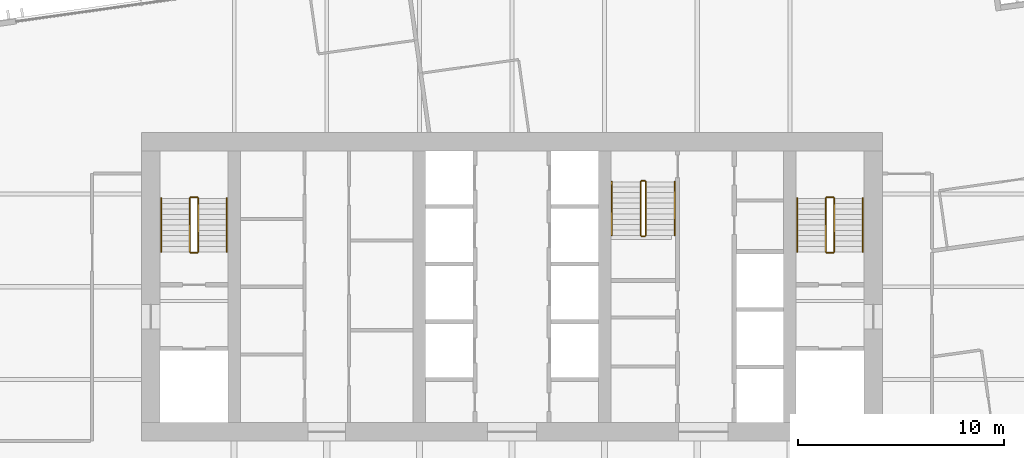
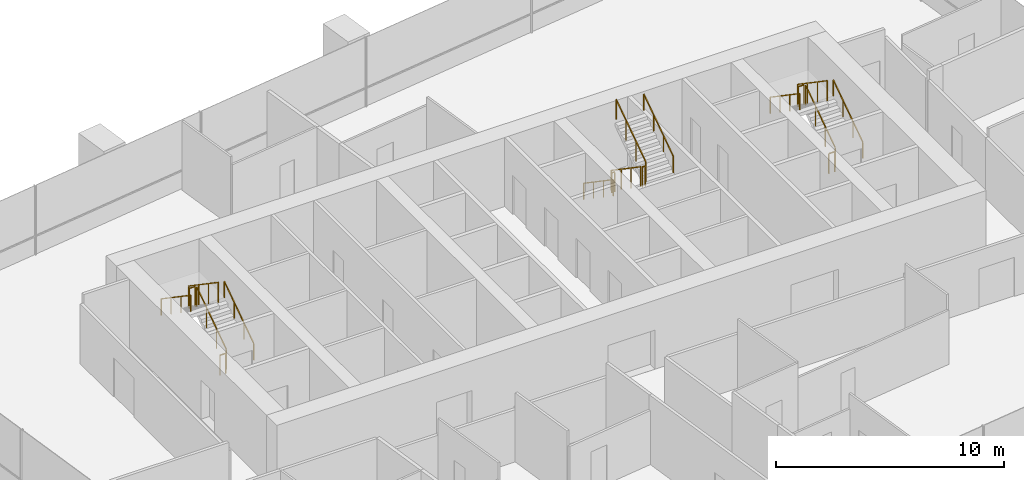
# One storey, part 14 of 14: 18 railings.
"""IFC4 building model written with IfcOpenShell, lengths in metres."""

from ifc_helpers import new_model, si_unit, direction, frame, origin, origin_2d, place, context, subcontext, project, spatial, rectangle, extrude, material, type_object, element, save


model = new_model("IFC4")

# Units and contexts
model_context = context("Model", 3, precision=1e-05, world=origin(), true_north=direction((0.0, 1.0)))
body_context = subcontext(model_context, "Body", "Model", "MODEL_VIEW")
ifc_project = project(units=[si_unit("LENGTHUNIT", "METRE"), si_unit("AREAUNIT", "SQUARE_METRE"), si_unit("VOLUMEUNIT", "CUBIC_METRE"), si_unit("PLANEANGLEUNIT", "RADIAN"), si_unit("MASSUNIT", "GRAM", prefix="KILO")], contexts=[model_context])

# Site, building, storey
site_placement = place(None, origin())
site = spatial("IfcSite", under=ifc_project, at=site_placement, CompositionType="ELEMENT")
building_placement = place(site_placement, origin())
building = spatial("IfcBuilding", under=site, at=building_placement, Name="Rattan Terrace Tower", CompositionType="ELEMENT")
storey_placement = place(building_placement, frame((0.0, 0.0, 172.39990234375)))
storey = spatial("IfcBuildingStorey", under=building, at=storey_placement, Name="L39", CompositionType="ELEMENT", Elevation=172.39990234375)

# Railings
ifc_material_1 = material(Name="Powder-coated steel guard", Category="steel")
railing_type_1 = type_object("IfcRailingType", Name="Core stair guard", PredefinedType="GUARDRAIL", material=ifc_material_1)
railing_1_placement = place(storey_placement, frame((-15.25, 1.699951171875, 0.177490234375)))
element("IfcRailing", 1, at=railing_1_placement, inside=storey, type_object=railing_type_1, Name="L39 S1 stair guard 1", PredefinedType="GUARDRAIL", context=body_context, shape_type="SweptSolid", body=[
    extrude(rectangle(XDim=0.048095703125, YDim=0.048095703125, at=origin_2d()), frame((0.0, 0.0, 1.076171875), z_axis=(0.0, 0.826240473404, 0.563317565952), x_axis=(-1.0, 0.0, 0.0)), (0.0, 0.0, 1.0), 3.14697265625),
    extrude(rectangle(XDim=0.0419921875, YDim=0.0419921875, at=origin_2d()), origin(), (0.0, 0.0, 1.0), 1.052001953125),
    extrude(rectangle(XDim=0.0419921875, YDim=0.0419921875, at=origin_2d()), frame((0.0, 0.86669921875, 0.5908203125)), (0.0, 0.0, 1.0), 1.052001953125),
    extrude(rectangle(XDim=0.0419921875, YDim=0.0419921875, at=origin_2d()), frame((0.0, 1.7333984375, 1.181884765625)), (0.0, 0.0, 1.0), 1.052001953125),
    extrude(rectangle(XDim=0.0419921875, YDim=0.0419921875, at=origin_2d()), frame((0.0, 2.60009765625, 1.772705078125)), (0.0, 0.0, 1.0), 1.052001953125),
])
railing_2_placement = place(storey_placement, frame((-15.300048828125, 4.35009765625, 1.9501953125)))
element("IfcRailing", 2, at=railing_2_placement, inside=storey, type_object=railing_type_1, Name="L39 S1 stair guard 2", PredefinedType="GUARDRAIL", context=body_context, shape_type="SweptSolid", body=[
    extrude(rectangle(XDim=0.048095703125, YDim=0.048095703125, at=origin_2d()), frame((0.0, 0.0, 1.076171875), z_axis=(-1.0, 0.0, 0.0), x_axis=(0.0, -1.0, 0.0)), (0.0, 0.0, 1.0), 0.300048828125),
    extrude(rectangle(XDim=0.0419921875, YDim=0.0419921875, at=origin_2d()), origin(), (0.0, 0.0, 1.0), 1.052001953125),
    extrude(rectangle(XDim=0.0419921875, YDim=0.0419921875, at=origin_2d()), frame((-0.300048828125, 0.0, 0.0)), (0.0, 0.0, 1.0), 1.052001953125),
])
railing_3_placement = place(storey_placement, frame((-15.64990234375, 4.300048828125, 2.12744140625)))
element("IfcRailing", 3, at=railing_3_placement, inside=storey, type_object=railing_type_1, Name="L39 S1 stair guard 3", PredefinedType="GUARDRAIL", context=body_context, shape_type="SweptSolid", body=[
    extrude(rectangle(XDim=0.048095703125, YDim=0.048095703125, at=origin_2d()), frame((0.0, 0.0, 1.076171875), z_axis=(0.0, -0.826240473404, 0.563317565952), x_axis=(1.0, 0.0, 0.0)), (0.0, 0.0, 1.0), 3.14697265625),
    extrude(rectangle(XDim=0.0419921875, YDim=0.0419921875, at=origin_2d()), origin(), (0.0, 0.0, 1.0), 1.052001953125),
    extrude(rectangle(XDim=0.0419921875, YDim=0.0419921875, at=origin_2d()), frame((0.0, -0.86669921875, 0.5908203125)), (0.0, 0.0, 1.0), 1.052001953125),
    extrude(rectangle(XDim=0.0419921875, YDim=0.0419921875, at=origin_2d()), frame((0.0, -1.7333984375, 1.181884765625)), (0.0, 0.0, 1.0), 1.052001953125),
    extrude(rectangle(XDim=0.0419921875, YDim=0.0419921875, at=origin_2d()), frame((0.0, -2.60009765625, 1.772705078125)), (0.0, 0.0, 1.0), 1.052001953125),
])
railing_4_placement = place(storey_placement, frame((-15.300048828125, 1.64990234375, 0.0)))
element("IfcRailing", 4, at=railing_4_placement, inside=storey, type_object=railing_type_1, Name="L39 S1 stair guard 4", PredefinedType="GUARDRAIL", context=body_context, shape_type="SweptSolid", body=[
    extrude(rectangle(XDim=0.048095703125, YDim=0.048095703125, at=origin_2d()), frame((0.0, 0.0, 1.076171875), z_axis=(-1.0, 0.0, 0.0), x_axis=(0.0, -1.0, 0.0)), (0.0, 0.0, 1.0), 0.300048828125),
    extrude(rectangle(XDim=0.0419921875, YDim=0.0419921875, at=origin_2d()), origin(), (0.0, 0.0, 1.0), 1.052001953125),
    extrude(rectangle(XDim=0.0419921875, YDim=0.0419921875, at=origin_2d()), frame((-0.300048828125, 0.0, 0.0)), (0.0, 0.0, 1.0), 1.052001953125),
])
railing_5_placement = place(storey_placement, frame((15.64990234375, 1.699951171875, 0.177490234375)))
element("IfcRailing", 5, at=railing_5_placement, inside=storey, type_object=railing_type_1, Name="L39 S2 stair guard 1", PredefinedType="GUARDRAIL", context=body_context, shape_type="SweptSolid", body=[
    extrude(rectangle(XDim=0.048095703125, YDim=0.048095703125, at=origin_2d()), frame((0.0, 0.0, 1.076171875), z_axis=(0.0, 0.826240473404, 0.563317565952), x_axis=(-1.0, 0.0, 0.0)), (0.0, 0.0, 1.0), 3.14697265625),
    extrude(rectangle(XDim=0.0419921875, YDim=0.0419921875, at=origin_2d()), origin(), (0.0, 0.0, 1.0), 1.052001953125),
    extrude(rectangle(XDim=0.0419921875, YDim=0.0419921875, at=origin_2d()), frame((0.0, 0.86669921875, 0.5908203125)), (0.0, 0.0, 1.0), 1.052001953125),
    extrude(rectangle(XDim=0.0419921875, YDim=0.0419921875, at=origin_2d()), frame((0.0, 1.7333984375, 1.181884765625)), (0.0, 0.0, 1.0), 1.052001953125),
    extrude(rectangle(XDim=0.0419921875, YDim=0.0419921875, at=origin_2d()), frame((0.0, 2.60009765625, 1.772705078125)), (0.0, 0.0, 1.0), 1.052001953125),
])
railing_6_placement = place(storey_placement, frame((15.60009765625, 4.35009765625, 1.9501953125)))
element("IfcRailing", 6, at=railing_6_placement, inside=storey, type_object=railing_type_1, Name="L39 S2 stair guard 2", PredefinedType="GUARDRAIL", context=body_context, shape_type="SweptSolid", body=[
    extrude(rectangle(XDim=0.048095703125, YDim=0.048095703125, at=origin_2d()), frame((0.0, 0.0, 1.076171875), z_axis=(-1.0, 0.0, 0.0), x_axis=(0.0, -1.0, 0.0)), (0.0, 0.0, 1.0), 0.300048828125),
    extrude(rectangle(XDim=0.0419921875, YDim=0.0419921875, at=origin_2d()), origin(), (0.0, 0.0, 1.0), 1.052001953125),
    extrude(rectangle(XDim=0.0419921875, YDim=0.0419921875, at=origin_2d()), frame((-0.300048828125, 0.0, 0.0)), (0.0, 0.0, 1.0), 1.052001953125),
])
railing_7_placement = place(storey_placement, frame((15.25, 4.300048828125, 2.12744140625)))
element("IfcRailing", 7, at=railing_7_placement, inside=storey, type_object=railing_type_1, Name="L39 S2 stair guard 3", PredefinedType="GUARDRAIL", context=body_context, shape_type="SweptSolid", body=[
    extrude(rectangle(XDim=0.048095703125, YDim=0.048095703125, at=origin_2d()), frame((0.0, 0.0, 1.076171875), z_axis=(0.0, -0.826240473404, 0.563317565952), x_axis=(1.0, 0.0, 0.0)), (0.0, 0.0, 1.0), 3.14697265625),
    extrude(rectangle(XDim=0.0419921875, YDim=0.0419921875, at=origin_2d()), origin(), (0.0, 0.0, 1.0), 1.052001953125),
    extrude(rectangle(XDim=0.0419921875, YDim=0.0419921875, at=origin_2d()), frame((0.0, -0.86669921875, 0.5908203125)), (0.0, 0.0, 1.0), 1.052001953125),
    extrude(rectangle(XDim=0.0419921875, YDim=0.0419921875, at=origin_2d()), frame((0.0, -1.7333984375, 1.181884765625)), (0.0, 0.0, 1.0), 1.052001953125),
    extrude(rectangle(XDim=0.0419921875, YDim=0.0419921875, at=origin_2d()), frame((0.0, -2.60009765625, 1.772705078125)), (0.0, 0.0, 1.0), 1.052001953125),
])
railing_8_placement = place(storey_placement, frame((15.60009765625, 1.64990234375, 0.0)))
element("IfcRailing", 8, at=railing_8_placement, inside=storey, type_object=railing_type_1, Name="L39 S2 stair guard 4", PredefinedType="GUARDRAIL", context=body_context, shape_type="SweptSolid", body=[
    extrude(rectangle(XDim=0.048095703125, YDim=0.048095703125, at=origin_2d()), frame((0.0, 0.0, 1.076171875), z_axis=(-1.0, 0.0, 0.0), x_axis=(0.0, -1.0, 0.0)), (0.0, 0.0, 1.0), 0.300048828125),
    extrude(rectangle(XDim=0.0419921875, YDim=0.0419921875, at=origin_2d()), origin(), (0.0, 0.0, 1.0), 1.052001953125),
    extrude(rectangle(XDim=0.0419921875, YDim=0.0419921875, at=origin_2d()), frame((-0.300048828125, 0.0, 0.0)), (0.0, 0.0, 1.0), 1.052001953125),
])
railing_9_placement = place(storey_placement, frame((6.25, 5.10009765625, 0.177490234375)))
element("IfcRailing", 9, at=railing_9_placement, inside=storey, type_object=railing_type_1, Name="L39 S3 stair guard 1", PredefinedType="GUARDRAIL", context=body_context, shape_type="SweptSolid", body=[
    extrude(rectangle(XDim=0.048095703125, YDim=0.048095703125, at=origin_2d()), frame((0.0, 0.0, 1.076171875), z_axis=(0.0, -0.826240473404, 0.563317565952), x_axis=(1.0, 0.0, 0.0)), (0.0, 0.0, 1.0), 3.14697265625),
    extrude(rectangle(XDim=0.0419921875, YDim=0.0419921875, at=origin_2d()), origin(), (0.0, 0.0, 1.0), 1.052001953125),
    extrude(rectangle(XDim=0.0419921875, YDim=0.0419921875, at=origin_2d()), frame((0.0, -0.86669921875, 0.5908203125)), (0.0, 0.0, 1.0), 1.052001953125),
    extrude(rectangle(XDim=0.0419921875, YDim=0.0419921875, at=origin_2d()), frame((0.0, -1.7333984375, 1.181884765625)), (0.0, 0.0, 1.0), 1.052001953125),
    extrude(rectangle(XDim=0.0419921875, YDim=0.0419921875, at=origin_2d()), frame((0.0, -2.60009765625, 1.772705078125)), (0.0, 0.0, 1.0), 1.052001953125),
])
railing_10_placement = place(storey_placement, frame((6.300048828125, 2.449951171875, 1.9501953125)))
element("IfcRailing", 10, at=railing_10_placement, inside=storey, type_object=railing_type_1, Name="L39 S3 stair guard 2", PredefinedType="GUARDRAIL", context=body_context, shape_type="SweptSolid", body=[
    extrude(rectangle(XDim=0.048095703125, YDim=0.048095703125, at=origin_2d()), frame((0.0, 0.0, 1.076171875), z_axis=(1.0, 0.0, 0.0), x_axis=(0.0, 1.0, 0.0)), (0.0, 0.0, 1.0), 0.14990234375),
    extrude(rectangle(XDim=0.0419921875, YDim=0.0419921875, at=origin_2d()), origin(), (0.0, 0.0, 1.0), 1.052001953125),
    extrude(rectangle(XDim=0.0419921875, YDim=0.0419921875, at=origin_2d()), frame((0.14990234375, 0.0, 0.0)), (0.0, 0.0, 1.0), 1.052001953125),
])
railing_11_placement = place(storey_placement, frame((6.5, 2.5, 2.12744140625)))
element("IfcRailing", 11, at=railing_11_placement, inside=storey, type_object=railing_type_1, Name="L39 S3 stair guard 3", PredefinedType="GUARDRAIL", context=body_context, shape_type="SweptSolid", body=[
    extrude(rectangle(XDim=0.048095703125, YDim=0.048095703125, at=origin_2d()), frame((0.0, 0.0, 1.076171875), z_axis=(0.0, 0.826240473404, 0.563317565952), x_axis=(-1.0, 0.0, 0.0)), (0.0, 0.0, 1.0), 3.14697265625),
    extrude(rectangle(XDim=0.0419921875, YDim=0.0419921875, at=origin_2d()), origin(), (0.0, 0.0, 1.0), 1.052001953125),
    extrude(rectangle(XDim=0.0419921875, YDim=0.0419921875, at=origin_2d()), frame((0.0, 0.86669921875, 0.5908203125)), (0.0, 0.0, 1.0), 1.052001953125),
    extrude(rectangle(XDim=0.0419921875, YDim=0.0419921875, at=origin_2d()), frame((0.0, 1.7333984375, 1.181884765625)), (0.0, 0.0, 1.0), 1.052001953125),
    extrude(rectangle(XDim=0.0419921875, YDim=0.0419921875, at=origin_2d()), frame((0.0, 2.60009765625, 1.772705078125)), (0.0, 0.0, 1.0), 1.052001953125),
])
railing_12_placement = place(storey_placement, frame((6.300048828125, 5.14990234375, 0.0)))
element("IfcRailing", 12, at=railing_12_placement, inside=storey, type_object=railing_type_1, Name="L39 S3 stair guard 4", PredefinedType="GUARDRAIL", context=body_context, shape_type="SweptSolid", body=[
    extrude(rectangle(XDim=0.048095703125, YDim=0.048095703125, at=origin_2d()), frame((0.0, 0.0, 1.076171875), z_axis=(1.0, 0.0, 0.0), x_axis=(0.0, 1.0, 0.0)), (0.0, 0.0, 1.0), 0.14990234375),
    extrude(rectangle(XDim=0.0419921875, YDim=0.0419921875, at=origin_2d()), origin(), (0.0, 0.0, 1.0), 1.052001953125),
    extrude(rectangle(XDim=0.0419921875, YDim=0.0419921875, at=origin_2d()), frame((0.14990234375, 0.0, 0.0)), (0.0, 0.0, 1.0), 1.052001953125),
])
ifc_material_2 = material(Name="Powder-coated steel handrail", Category="steel")
railing_type_2 = type_object("IfcRailingType", Name="Core stair handrail", PredefinedType="HANDRAIL", material=ifc_material_2)
railing_13_placement = place(storey_placement, frame((-13.85009765625, 1.699951171875, 0.177490234375)))
element("IfcRailing", 13, at=railing_13_placement, inside=storey, type_object=railing_type_2, Name="L39 S1 stair handrail 1", PredefinedType="HANDRAIL", context=body_context, shape_type="SweptSolid", body=[
    extrude(rectangle(XDim=0.048095703125, YDim=0.048095703125, at=origin_2d()), frame((0.0, 0.0, 0.8759765625), z_axis=(0.0, 0.826240473404, 0.563317565952), x_axis=(-1.0, 0.0, 0.0)), (0.0, 0.0, 1.0), 3.14697265625),
    extrude(rectangle(XDim=0.0419921875, YDim=0.0419921875, at=origin_2d()), origin(), (0.0, 0.0, 1.0), 0.851806640625),
    extrude(rectangle(XDim=0.0419921875, YDim=0.0419921875, at=origin_2d()), frame((0.0, 0.86669921875, 0.5908203125)), (0.0, 0.0, 1.0), 0.851806640625),
    extrude(rectangle(XDim=0.0419921875, YDim=0.0419921875, at=origin_2d()), frame((0.0, 1.7333984375, 1.181884765625)), (0.0, 0.0, 1.0), 0.851806640625),
    extrude(rectangle(XDim=0.0419921875, YDim=0.0419921875, at=origin_2d()), frame((0.0, 2.60009765625, 1.772705078125)), (0.0, 0.0, 1.0), 0.851806640625),
])
railing_14_placement = place(storey_placement, frame((-17.050048828125, 4.300048828125, 2.12744140625)))
element("IfcRailing", 14, at=railing_14_placement, inside=storey, type_object=railing_type_2, Name="L39 S1 stair handrail 2", PredefinedType="HANDRAIL", context=body_context, shape_type="SweptSolid", body=[
    extrude(rectangle(XDim=0.048095703125, YDim=0.048095703125, at=origin_2d()), frame((0.0, 0.0, 0.8759765625), z_axis=(0.0, -0.826240473404, 0.563317565952), x_axis=(1.0, 0.0, 0.0)), (0.0, 0.0, 1.0), 3.14697265625),
    extrude(rectangle(XDim=0.0419921875, YDim=0.0419921875, at=origin_2d()), origin(), (0.0, 0.0, 1.0), 0.851806640625),
    extrude(rectangle(XDim=0.0419921875, YDim=0.0419921875, at=origin_2d()), frame((0.0, -0.86669921875, 0.5908203125)), (0.0, 0.0, 1.0), 0.851806640625),
    extrude(rectangle(XDim=0.0419921875, YDim=0.0419921875, at=origin_2d()), frame((0.0, -1.7333984375, 1.181884765625)), (0.0, 0.0, 1.0), 0.851806640625),
    extrude(rectangle(XDim=0.0419921875, YDim=0.0419921875, at=origin_2d()), frame((0.0, -2.60009765625, 1.772705078125)), (0.0, 0.0, 1.0), 0.851806640625),
])
railing_15_placement = place(storey_placement, frame((17.050048828125, 1.699951171875, 0.177490234375)))
element("IfcRailing", 15, at=railing_15_placement, inside=storey, type_object=railing_type_2, Name="L39 S2 stair handrail 1", PredefinedType="HANDRAIL", context=body_context, shape_type="SweptSolid", body=[
    extrude(rectangle(XDim=0.048095703125, YDim=0.048095703125, at=origin_2d()), frame((0.0, 0.0, 0.8759765625), z_axis=(0.0, 0.826240473404, 0.563317565952), x_axis=(-1.0, 0.0, 0.0)), (0.0, 0.0, 1.0), 3.14697265625),
    extrude(rectangle(XDim=0.0419921875, YDim=0.0419921875, at=origin_2d()), origin(), (0.0, 0.0, 1.0), 0.851806640625),
    extrude(rectangle(XDim=0.0419921875, YDim=0.0419921875, at=origin_2d()), frame((0.0, 0.86669921875, 0.5908203125)), (0.0, 0.0, 1.0), 0.851806640625),
    extrude(rectangle(XDim=0.0419921875, YDim=0.0419921875, at=origin_2d()), frame((0.0, 1.7333984375, 1.181884765625)), (0.0, 0.0, 1.0), 0.851806640625),
    extrude(rectangle(XDim=0.0419921875, YDim=0.0419921875, at=origin_2d()), frame((0.0, 2.60009765625, 1.772705078125)), (0.0, 0.0, 1.0), 0.851806640625),
])
for number, where, name in (
    (16, (13.85009765625, 4.300048828125, 2.12744140625), "L39 S2 stair handrail 2"),
    (17, (4.85009765625, 5.10009765625, 0.177490234375), "L39 S3 stair handrail 1"),
):
    element("IfcRailing", number, at=place(storey_placement, frame(where)), inside=storey, type_object=railing_type_2, Name=name, PredefinedType="HANDRAIL", context=body_context, shape_type="SweptSolid", body=[
        extrude(rectangle(XDim=0.048095703125, YDim=0.048095703125, at=origin_2d()), frame((0.0, 0.0, 0.8759765625), z_axis=(0.0, -0.826240473404, 0.563317565952), x_axis=(1.0, 0.0, 0.0)), (0.0, 0.0, 1.0), 3.14697265625),
        extrude(rectangle(XDim=0.0419921875, YDim=0.0419921875, at=origin_2d()), origin(), (0.0, 0.0, 1.0), 0.851806640625),
        extrude(rectangle(XDim=0.0419921875, YDim=0.0419921875, at=origin_2d()), frame((0.0, -0.86669921875, 0.5908203125)), (0.0, 0.0, 1.0), 0.851806640625),
        extrude(rectangle(XDim=0.0419921875, YDim=0.0419921875, at=origin_2d()), frame((0.0, -1.7333984375, 1.181884765625)), (0.0, 0.0, 1.0), 0.851806640625),
        extrude(rectangle(XDim=0.0419921875, YDim=0.0419921875, at=origin_2d()), frame((0.0, -2.60009765625, 1.772705078125)), (0.0, 0.0, 1.0), 0.851806640625),
    ])
railing_16_placement = place(storey_placement, frame((7.89990234375, 2.5, 2.12744140625)))
element("IfcRailing", 18, at=railing_16_placement, inside=storey, type_object=railing_type_2, Name="L39 S3 stair handrail 2", PredefinedType="HANDRAIL", context=body_context, shape_type="SweptSolid", body=[
    extrude(rectangle(XDim=0.048095703125, YDim=0.048095703125, at=origin_2d()), frame((0.0, 0.0, 0.8759765625), z_axis=(0.0, 0.826240473404, 0.563317565952), x_axis=(-1.0, 0.0, 0.0)), (0.0, 0.0, 1.0), 3.14697265625),
    extrude(rectangle(XDim=0.0419921875, YDim=0.0419921875, at=origin_2d()), origin(), (0.0, 0.0, 1.0), 0.851806640625),
    extrude(rectangle(XDim=0.0419921875, YDim=0.0419921875, at=origin_2d()), frame((0.0, 0.86669921875, 0.5908203125)), (0.0, 0.0, 1.0), 0.851806640625),
    extrude(rectangle(XDim=0.0419921875, YDim=0.0419921875, at=origin_2d()), frame((0.0, 1.7333984375, 1.181884765625)), (0.0, 0.0, 1.0), 0.851806640625),
    extrude(rectangle(XDim=0.0419921875, YDim=0.0419921875, at=origin_2d()), frame((0.0, 2.60009765625, 1.772705078125)), (0.0, 0.0, 1.0), 0.851806640625),
])

save(model, "model.ifc")
